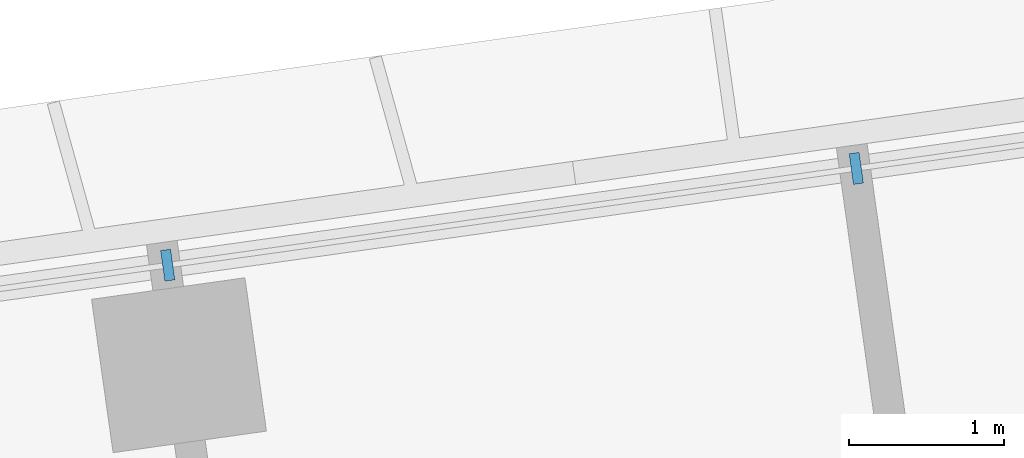
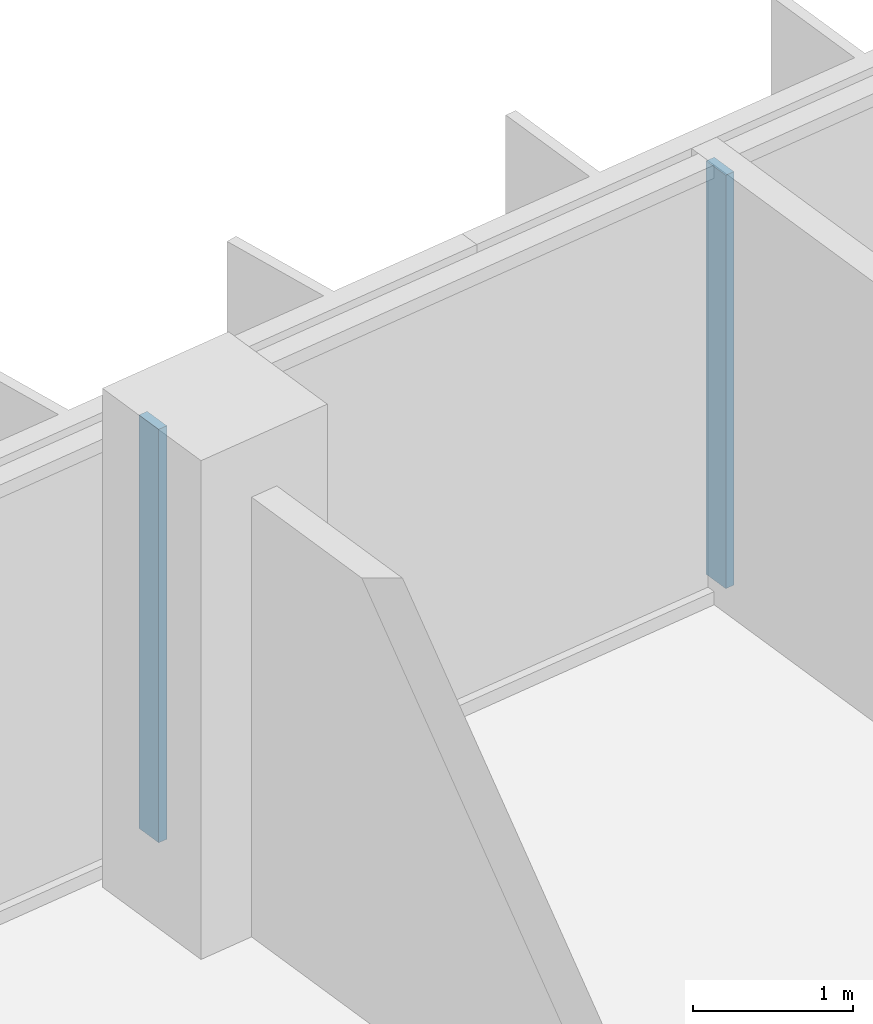
# One storey, part 8 of 24: 2 members, 1 element without a shape of its own.
"""IFC4 building model written with IfcOpenShell, lengths in metres."""

from ifc_helpers import new_model, si_unit, direction, frame, origin, origin_2d, place, context, subcontext, project, spatial, rectangle, extrude, material, material_profile, profile_set, type_object, element, aggregate, save


model = new_model("IFC4")

# Units and contexts
model_context = context("Model", 3, precision=1e-05, world=origin(), true_north=direction((0.0, 1.0)))
body_context = subcontext(model_context, "Body", "Model", "MODEL_VIEW")
ifc_project = project(units=[si_unit("LENGTHUNIT", "METRE"), si_unit("AREAUNIT", "SQUARE_METRE"), si_unit("VOLUMEUNIT", "CUBIC_METRE"), si_unit("PLANEANGLEUNIT", "RADIAN"), si_unit("MASSUNIT", "GRAM", prefix="KILO")], contexts=[model_context])

# Site, building, storey
site_placement = place(None, origin())
site = spatial("IfcSite", under=ifc_project, at=site_placement, CompositionType="ELEMENT")
building_placement = place(site_placement, origin())
building = spatial("IfcBuilding", under=site, at=building_placement, Name="Mirante Cascada Hotel Towers", CompositionType="ELEMENT")
storey_placement = place(building_placement, frame((0.0, 0.0, 50.9)))
storey = spatial("IfcBuildingStorey", under=building, at=storey_placement, Name="L09", CompositionType="ELEMENT", Elevation=50.9)

# Curtain wall, members
ifc_material_1 = material(Name="Aluminium mullion and transom frame with clear laminated glass", Category="aluminium")
curtain_wall_type = type_object("IfcCurtainWallType", Name="Ribbon curtain wall ECW1", PredefinedType="NOTDEFINED", material=ifc_material_1)
curtain_wall_placement = place(storey_placement, origin())
curtain_wall = element("IfcCurtainWall", 1, at=curtain_wall_placement, inside=storey, type_object=curtain_wall_type, Name="Front ribbon wall T2 L09", PredefinedType="NOTDEFINED")
ifc_material_2 = material(Name="Anodised aluminium extrusion", Category="aluminium")
ifc_material_profile = material_profile(ifc_material_2, rectangle(XDim=0.2, YDim=0.065, at=origin_2d()), Name="ECW1 MULLION 65x200")
ifc_profile_set = profile_set([ifc_material_profile], Name="Anodised aluminium extrusion")
member_type = type_object("IfcMemberType", Name="ECW1 mullion 65x200", PredefinedType="MULLION", material=ifc_profile_set)
member_1_placement = place(storey_placement, frame((58.5788, 21.0517, 0.1), z_axis=(0.0, 0.0, 1.0), x_axis=(0.1391731, -0.9902681, 0.0)))
member_1 = element("IfcMember", 2, at=member_1_placement, type_object=member_type, Name="ECW1 mullion 9", PredefinedType="MULLION", context=body_context, shape_type="SweptSolid", body=[
    extrude(rectangle(XDim=0.2, YDim=0.065, at=origin_2d()), origin(), (0.0, 0.0, 1.0), 3.15),
])
member_2_placement = place(storey_placement, frame((54.1314, 20.4267, 0.1), z_axis=(0.0, 0.0, 1.0), x_axis=(0.1391731, -0.9902681, 0.0)))
member_2 = element("IfcMember", 3, at=member_2_placement, type_object=member_type, Name="ECW1 mullion 10", PredefinedType="MULLION", context=body_context, shape_type="SweptSolid", body=[
    extrude(rectangle(XDim=0.2, YDim=0.065, at=origin_2d()), origin(), (0.0, 0.0, 1.0), 3.15),
])
aggregate(curtain_wall, [member_1, member_2])

save(model, "model.ifc")
